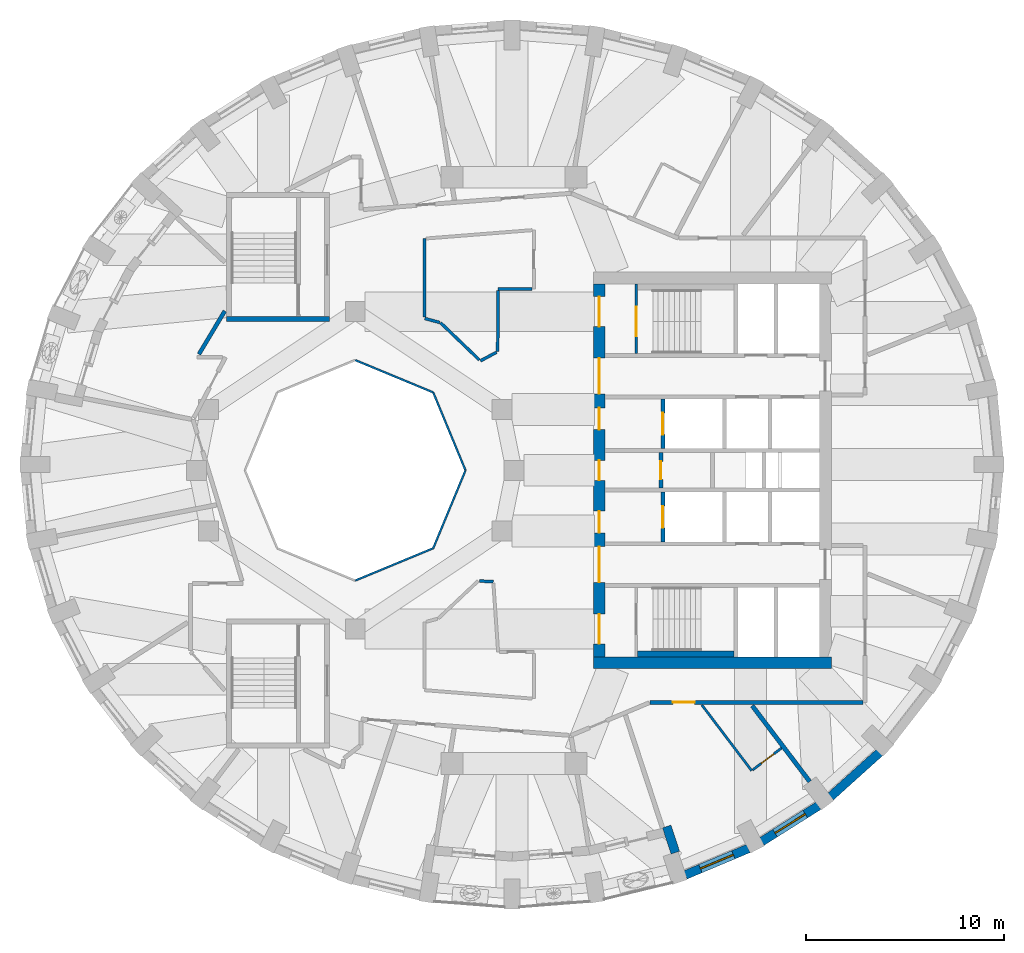
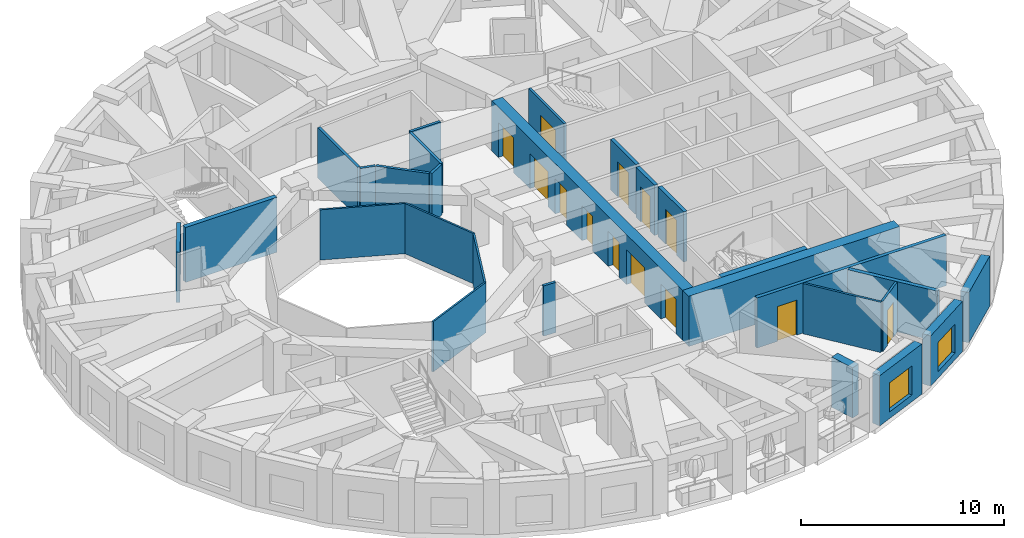
# One storey, part 5 of 12: 28 walls, 13 doors, 2 windows, 15 openings.
"""IFC4 building model written with IfcOpenShell, lengths in metres."""

import ifcopenshell
import ifcopenshell.guid

model = None  # the IFC model being written
_history = None  # IfcOwnerHistory: only IFC2X3 demands one
_inside = {}  # id of a spatial element -> (the spatial element, [elements in it])
_under = {}  # id of a project, library or spatial element -> (it, [spatial elements below it])
_declared = {}  # id of a project -> (the project, [libraries it declares])
_typed = {}  # id of a type object -> (the type object, [elements of that type])
_made_of = {}  # id of a material, layer set ... -> (it, [elements and type objects made of it])


def new_model(schema):
    """Start an empty IFC model of exactly this schema.

    Asked for "IFC4X3", IfcOpenShell would pick the latest addendum, in which some entities
    have other attributes; the version numbers below select the first issue.
    IFC2X3 requires an IfcOwnerHistory on every rooted entity: one is made here for all.
    """
    global model, _history
    if schema == "IFC4X3":
        model = ifcopenshell.file(schema_version=(4, 3, 0, 0))
    else:
        model = ifcopenshell.file(schema=schema)
    _inside.clear()
    _under.clear()
    _declared.clear()
    _typed.clear()
    _made_of.clear()
    _history = None
    if model.schema == "IFC2X3":
        org = make("IfcOrganization", Name="unknown")
        user = make(
            "IfcPersonAndOrganization",
            ThePerson=make("IfcPerson", FamilyName="unknown"),
            TheOrganization=org,
        )
        app = make(
            "IfcApplication",
            ApplicationDeveloper=org,
            Version="unknown",
            ApplicationFullName="unknown",
            ApplicationIdentifier="unknown",
        )
        _history = make(
            "IfcOwnerHistory",
            OwningUser=user,
            OwningApplication=app,
            ChangeAction="ADDED",
            CreationDate=0,
        )
    return model


def make(cls, **values):
    """One entity of the class cls with the attributes given. An attribute that is None is left unset."""
    return model.create_entity(
        cls, **{name: value for name, value in values.items() if value is not None}
    )


def rooted(cls, **values):
    """An entity with a GlobalId (a new one), such as an element, a storey or a relation."""
    return make(cls, GlobalId=ifcopenshell.guid.new(), OwnerHistory=_history, **values)


def si_unit(unit_type, name, prefix=None):
    """IfcSIUnit, for example si_unit("LENGTHUNIT", "METRE", prefix="MILLI")."""
    return make("IfcSIUnit", UnitType=unit_type, Prefix=prefix, Name=name)


def assignment(units):
    """IfcUnitAssignment: the units of a project."""
    return None if units is None else make("IfcUnitAssignment", Units=units)


def point(xyz):
    """IfcCartesianPoint."""
    return None if xyz is None else make("IfcCartesianPoint", Coordinates=xyz)


def direction(xyz):
    """IfcDirection."""
    return None if xyz is None else make("IfcDirection", DirectionRatios=xyz)


def frame(location, z_axis=None, x_axis=None):
    """IfcAxis2Placement3D, a coordinate frame: its origin and axes. An axis left out is left unset."""
    return make(
        "IfcAxis2Placement3D",
        Location=point(location),
        Axis=direction(z_axis),
        RefDirection=direction(x_axis),
    )


def frame_2d(location, x_axis=None):
    """IfcAxis2Placement2D, a coordinate frame in the plane: its origin and x axis."""
    return make(
        "IfcAxis2Placement2D", Location=point(location), RefDirection=direction(x_axis)
    )


def origin():
    """The frame at (0, 0, 0) with its axes left unset."""
    return frame((0.0, 0.0, 0.0))


def place(relative_to, where):
    """IfcLocalPlacement: puts the frame where relative to a parent placement (None: the world)."""
    return make(
        "IfcLocalPlacement", PlacementRelTo=relative_to, RelativePlacement=where
    )


def context(
    kind, dimensions, precision=None, world=None, true_north=None, identifier=None
):
    """IfcGeometricRepresentationContext, for example the 3D "Model" context."""
    return make(
        "IfcGeometricRepresentationContext",
        ContextIdentifier=identifier,
        ContextType=kind,
        CoordinateSpaceDimension=dimensions,
        Precision=precision,
        WorldCoordinateSystem=world,
        TrueNorth=true_north,
    )


def subcontext(parent, identifier, kind, view, scale=None):
    """IfcGeometricRepresentationSubContext, for example "Body" below "Model"."""
    return make(
        "IfcGeometricRepresentationSubContext",
        ContextIdentifier=identifier,
        ContextType=kind,
        ParentContext=parent,
        TargetScale=scale,
        TargetView=view,
    )


def project(units=None, contexts=None):
    """IfcProject with its units and contexts."""
    return rooted(
        "IfcProject",
        Name="project",
        RepresentationContexts=contexts,
        UnitsInContext=assignment(units),
    )


def spatial(cls, under=None, at=None, **own):
    """A site, building, storey or space (cls), placed at a placement, below another one or the project."""
    s = rooted(cls, ObjectPlacement=at, **own)
    if under is not None:
        _under.setdefault(under.id(), (under, []))[1].append(s)
    return s


def profile(cls, at=None, kind="AREA", **sizes):
    """A parametric profile (cls). Its sizes go by their IFC names, for example OverallWidth=200.0."""
    return make(cls, ProfileType=kind, Position=at, **sizes)


def rectangle(**sizes):
    """IfcRectangleProfileDef."""
    return profile("IfcRectangleProfileDef", **sizes)


def extrude(swept, where, along, depth):
    """IfcExtrudedAreaSolid: the profile swept, set in the frame where, extruded along a direction by depth."""
    return make(
        "IfcExtrudedAreaSolid",
        SweptArea=swept,
        Position=where,
        ExtrudedDirection=direction(along),
        Depth=depth,
    )


def shape(context_of_items, identifier, shape_type, items):
    """IfcShapeRepresentation: the items that make up one representation, for example the "Body"."""
    return make(
        "IfcShapeRepresentation",
        ContextOfItems=context_of_items,
        RepresentationIdentifier=identifier,
        RepresentationType=shape_type,
        Items=items,
    )


def material(Name=None, Category=None):
    """IfcMaterial."""
    return make("IfcMaterial", Name=Name, Category=Category)


def layer(
    of_material, thickness, ventilated=None, Name=None, Category=None, Priority=None
):
    """IfcMaterialLayer: one layer of a wall or slab, of a material (None: an air gap)."""
    return make(
        "IfcMaterialLayer",
        Material=of_material,
        LayerThickness=thickness,
        IsVentilated=ventilated,
        Name=Name,
        Category=Category,
        Priority=Priority,
    )


def layer_set(layers, Name=None):
    """IfcMaterialLayerSet."""
    return make("IfcMaterialLayerSet", MaterialLayers=layers, LayerSetName=Name)


def made_of(thing, what):
    """Note that an element or type object is made of a material, layer set ...; save() writes the relation."""
    if what is not None:
        _made_of.setdefault(what.id(), (what, []))[1].append(thing)
    return thing


def type_object(cls, material=None, **own):
    """A type object (cls), such as IfcWallType, which elements share."""
    return made_of(rooted(cls, **own), material)


def element(
    cls,
    number,
    at=None,
    inside=None,
    cuts=None,
    type_object=None,
    material=None,
    context=None,
    identifier="Body",
    shape_type=None,
    held_by="IfcProductDefinitionShape",
    body=None,
    shapes=None,
    **own,
):
    """One element of the class cls, such as IfcWall. Its Tag is "e" and its number.

    at: its placement. inside: the storey or other place that contains it. cuts: it is an
    opening in that element (IfcRelVoidsElement). A single representation is given by context,
    identifier, shape_type and body (its items); several are given by shapes. held_by: the class
    of the entity that holds the representations. save() writes the other relations.
    """
    e = rooted(cls, Tag="e%d" % number, ObjectPlacement=at, **own)
    if body is not None:
        shapes = [shape(context, identifier, shape_type, body)]
    if shapes is not None:
        e.Representation = make(held_by, Representations=shapes)
    if inside is not None:
        _inside.setdefault(inside.id(), (inside, []))[1].append(e)
    if cuts is not None:
        rooted(
            "IfcRelVoidsElement", RelatingBuildingElement=cuts, RelatedOpeningElement=e
        )
    if type_object is not None:
        _typed.setdefault(type_object.id(), (type_object, []))[1].append(e)
    return made_of(e, material)


def fill(opening, filler):
    """IfcRelFillsElement: the door or window that sits in an opening."""
    return rooted(
        "IfcRelFillsElement",
        RelatingOpeningElement=opening,
        RelatedBuildingElement=filler,
    )


def aggregate(whole, parts):
    """IfcRelAggregates: a whole, such as a stair, and the parts it consists of."""
    return rooted("IfcRelAggregates", RelatingObject=whole, RelatedObjects=parts)


def save(model, path):
    """Write the relations noted so far, then the file.

    IfcRelAggregates (storeys below a building ...), IfcRelContainedInSpatialStructure (elements
    in a storey), IfcRelDefinesByType, IfcRelAssociatesMaterial and IfcRelDeclares: one each for
    every whole, place, type object, material and project.
    """
    for whole, parts in _under.values():
        aggregate(whole, parts)
    for where, things in _inside.values():
        rooted(
            "IfcRelContainedInSpatialStructure",
            RelatedElements=things,
            RelatingStructure=where,
        )
    for kind, things in _typed.values():
        rooted("IfcRelDefinesByType", RelatedObjects=things, RelatingType=kind)
    for what, things in _made_of.values():
        rooted("IfcRelAssociatesMaterial", RelatedObjects=things, RelatingMaterial=what)
    for by, libraries in _declared.values():
        rooted("IfcRelDeclares", RelatingContext=by, RelatedDefinitions=libraries)
    model.write(path)


model = new_model("IFC4")

# Units and contexts
model_context = context("Model", 3, precision=1e-05, world=origin(), true_north=direction((0.0, 1.0)))
body_context = subcontext(model_context, "Body", "Model", "MODEL_VIEW")
ifc_project = project(units=[si_unit("LENGTHUNIT", "METRE"), si_unit("AREAUNIT", "SQUARE_METRE"), si_unit("VOLUMEUNIT", "CUBIC_METRE"), si_unit("PLANEANGLEUNIT", "RADIAN"), si_unit("MASSUNIT", "GRAM", prefix="KILO")], contexts=[model_context])

# Site, building, storey
site_placement = place(None, origin())
site = spatial("IfcSite", under=ifc_project, at=site_placement, CompositionType="ELEMENT")
building_placement = place(site_placement, origin())
building = spatial("IfcBuilding", under=site, at=building_placement, Name="Taillehof Tower", CompositionType="ELEMENT")
storey_placement = place(building_placement, frame((0.0, 0.0, 243.199951171875)))
storey = spatial("IfcBuildingStorey", under=building, at=storey_placement, Name="L69", CompositionType="ELEMENT", Elevation=243.199951171875)

# Walls
ifc_material_1 = material(Name="Fire-resisting glass in steel frame", Category="steel")
ifc_layer_1 = layer(ifc_material_1, 0.10009765625)
ifc_layer_set_1 = layer_set([ifc_layer_1], Name="Atrium fire-resisting screen EI 60 100")
wall_type_1 = type_object("IfcWallType", Name="Atrium fire-resisting screen EI 60 100", PredefinedType="PARTITIONING", material=ifc_layer_set_1)
for number, where, z_axis, x_axis, name in (
    (1, (-2.44580078125, 0.0, 0.0), (0.0, 0.0, 1.0), (-0.382730523909, -0.923860025149, 0.0), "Atrium screen"),
    (2, (-4.07275390625, -3.92724609375, 0.0), (0.0, 0.0, 1.0), (-0.923860025149, -0.382730523909, 0.0), "Atrium screen"),
    (3, (-8.0, 5.55419921875, 0.0), (0.0, 0.0, 1.0), (0.923860025149, -0.382730523909, 0.0), "Atrium screen"),
    (4, (-4.07275390625, 3.92724609375, 0.0), (0.0, 0.0, 1.0), (0.382730523909, -0.923860025149, 0.0), "Atrium screen"),
):
    element("IfcWall", number, at=place(storey_placement, frame(where, z_axis=z_axis, x_axis=x_axis)), inside=storey, type_object=wall_type_1, Name=name, PredefinedType="PARTITIONING", context=body_context, shape_type="SweptSolid", body=[
        extrude(rectangle(XDim=4.2509765625, YDim=0.10009765625, at=frame_2d((2.12548828125, 0.0))), origin(), (0.0, 0.0, 1.0), 3.02001953125),
    ])

# Wall, opening, window
ifc_material_2 = material(Name="Brick masonry", Category="masonry")
ifc_layer_2 = layer(ifc_material_2, 0.449951171875)
ifc_layer_set_2 = layer_set([ifc_layer_2], Name="Brick infill wall 450")
wall_type_2 = type_object("IfcWallType", Name="Brick infill wall 450", PredefinedType="SOLIDWALL", material=ifc_layer_set_2)
wall_1_placement = place(storey_placement, frame((8.640869140625, -20.394775390625, 0.0), z_axis=(0.0, 0.0, 1.0), x_axis=(0.922049934692, 0.3870709469, 0.0)))
wall_1 = element("IfcWall", 5, at=wall_1_placement, inside=storey, type_object=wall_type_2, Name="Brick wall L69 bay 30", PredefinedType="SOLIDWALL", context=body_context, shape_type="SweptSolid", body=[
    extrude(rectangle(XDim=3.443115234375, YDim=0.449951171875, at=frame_2d((1.7216796875, 0.0))), origin(), (0.0, 0.0, 1.0), 3.02001953125),
])
opening_1_placement = place(wall_1_placement, frame((0.82177734375, 0.0, 0.39990234375)))
opening_1 = element("IfcOpeningElement", 6, at=opening_1_placement, cuts=wall_1, Name="Opening W4", PredefinedType="OPENING", context=body_context, shape_type="SweptSolid", body=[
    extrude(rectangle(XDim=1.800048828125, YDim=1.75, at=frame_2d((0.89990234375, 0.875))), frame((0.0, 0.23486328125, 0.0), z_axis=(0.0, -1.0, 0.0), x_axis=(1.0, 0.0, 0.0)), (0.0, 0.0, 1.0), 0.469970703125),
])
ifc_material_3 = material(Name="Aluminium window frame with clear double glazing", Category="aluminium")
window_type = type_object("IfcWindowType", Name="Deep-set window 1800x1750", PartitioningType="SINGLE_PANEL", PredefinedType="WINDOW", material=ifc_material_3)
window_1_placement = place(opening_1_placement, origin())
window_1 = element("IfcWindow", 7, at=window_1_placement, inside=storey, type_object=window_type, Name="W4", OverallHeight=1.75, OverallWidth=1.800048828125, PartitioningType="SINGLE_PANEL", PredefinedType="WINDOW", context=body_context, shape_type="SweptSolid", body=[
    extrude(rectangle(XDim=1.800048828125, YDim=1.75, at=frame_2d((0.89990234375, 0.875))), frame((0.0, 0.034912109375, 0.0), z_axis=(0.0, -1.0, 0.0), x_axis=(1.0, 0.0, 0.0)), (0.0, 0.0, 1.0), 0.06005859375),
])
fill(opening_1, window_1)

wall_2_placement = place(storey_placement, frame((12.489990234375, -18.7109375, 0.0), z_axis=(0.0, 0.0, 1.0), x_axis=(0.845929139811, 0.53329531258, 0.0)))
wall_2 = element("IfcWall", 8, at=wall_2_placement, inside=storey, type_object=wall_type_2, Name="Brick wall L69 bay 31", PredefinedType="SOLIDWALL", context=body_context, shape_type="SweptSolid", body=[
    extrude(rectangle(XDim=3.384521484375, YDim=0.449951171875, at=frame_2d((1.6923828125, 0.0))), origin(), (0.0, 0.0, 1.0), 3.02001953125),
])
opening_2_placement = place(wall_2_placement, frame((0.792236328125, 0.0, 0.39990234375)))
opening_2 = element("IfcOpeningElement", 9, at=opening_2_placement, cuts=wall_2, Name="Opening W4", PredefinedType="OPENING", context=body_context, shape_type="SweptSolid", body=[
    extrude(rectangle(XDim=1.800048828125, YDim=1.75, at=frame_2d((0.89990234375, 0.875))), frame((0.0, 0.23486328125, 0.0), z_axis=(0.0, -1.0, 0.0), x_axis=(1.0, 0.0, 0.0)), (0.0, 0.0, 1.0), 0.469970703125),
])
window_2_placement = place(opening_2_placement, origin())
window_2 = element("IfcWindow", 10, at=window_2_placement, inside=storey, type_object=window_type, Name="W4", OverallHeight=1.75, OverallWidth=1.800048828125, PartitioningType="SINGLE_PANEL", PredefinedType="WINDOW", context=body_context, shape_type="SweptSolid", body=[
    extrude(rectangle(XDim=1.800048828125, YDim=1.75, at=frame_2d((0.89990234375, 0.875))), frame((0.0, 0.034912109375, 0.0), z_axis=(0.0, -1.0, 0.0), x_axis=(1.0, 0.0, 0.0)), (0.0, 0.0, 1.0), 0.06005859375),
])
fill(opening_2, window_2)

# Walls
wall_3_placement = place(storey_placement, frame((15.959228515625, -16.447509765625, 0.0), z_axis=(0.0, 0.0, 1.0), x_axis=(0.743166014219, 0.669107073128, 0.0)))
element("IfcWall", 11, at=wall_3_placement, inside=storey, type_object=wall_type_2, Name="Brick wall L69 bay 32", PredefinedType="SOLIDWALL", context=body_context, shape_type="SweptSolid", body=[
    extrude(rectangle(XDim=3.31640625, YDim=0.449951171875, at=frame_2d((1.658203125, 0.0))), origin(), (0.0, 0.0, 1.0), 3.02001953125),
])
wall_4_placement = place(storey_placement, frame((8.1337890625, -19.273193359375, 0.0), z_axis=(0.0, 0.0, 1.0), x_axis=(-0.312379684595, 0.949957332017, 0.0)))
element("IfcWall", 12, at=wall_4_placement, inside=storey, type_object=wall_type_2, Name="Brick reveal L69 pocket 8", PredefinedType="SOLIDWALL", context=body_context, shape_type="SweptSolid", body=[
    extrude(rectangle(XDim=1.390380859375, YDim=0.449951171875, at=frame_2d((0.6953125, 0.0))), origin(), (0.0, 0.0, 1.0), 3.02001953125),
])

# Wall, opening, door
ifc_material_4 = material(Name="Calcium silicate masonry", Category="masonry")
ifc_layer_3 = layer(ifc_material_4, 0.199951171875)
ifc_layer_set_3 = layer_set([ifc_layer_3], Name="Compartment wall calcium silicate 200")
wall_type_3 = type_object("IfcWallType", Name="Compartment wall calcium silicate 200", PredefinedType="PARTITIONING", material=ifc_layer_set_3)
wall_5_placement = place(storey_placement, frame((7.39990234375, -0.89990234375, 0.0), z_axis=(0.0, 0.0, 1.0), x_axis=(0.0, 1.0, 0.0)))
wall_5 = element("IfcWall", 13, at=wall_5_placement, inside=storey, type_object=wall_type_3, Name="Compartment wall FW", PredefinedType="PARTITIONING", context=body_context, shape_type="SweptSolid", body=[
    extrude(rectangle(XDim=1.7998046875, YDim=0.199951171875, at=frame_2d((0.89990234375, 0.0))), origin(), (0.0, 0.0, 1.0), 3.02001953125),
])
opening_3_placement = place(wall_5_placement, frame((0.449951171875, 0.0, 0.0)))
opening_3 = element("IfcOpeningElement", 14, at=opening_3_placement, cuts=wall_5, Name="Opening D6914", PredefinedType="OPENING", context=body_context, shape_type="SweptSolid", body=[
    extrude(rectangle(XDim=0.89990234375, YDim=2.10009765625, at=frame_2d((0.449951171875, 1.050048828125))), frame((0.0, 0.10986328125, 0.0), z_axis=(0.0, -1.0, 0.0), x_axis=(1.0, 0.0, 0.0)), (0.0, 0.0, 1.0), 0.219970703125),
])
ifc_material_5 = material(Name="Steel-faced fire door", Category="steel")
door_type_1 = type_object("IfcDoorType", Name="Riser and service room door 900x2100", OperationType="SINGLE_SWING_LEFT", PredefinedType="DOOR", material=ifc_material_5)
door_1_placement = place(opening_3_placement, origin())
door_1 = element("IfcDoor", 15, at=door_1_placement, inside=storey, type_object=door_type_1, Name="Door Comms Room", OperationType="SINGLE_SWING_RIGHT", OverallHeight=2.10009765625, OverallWidth=0.89990234375, PredefinedType="DOOR", context=body_context, shape_type="SweptSolid", body=[
    extrude(rectangle(XDim=0.89990234375, YDim=2.10009765625, at=frame_2d((0.449951171875, 1.050048828125))), frame((0.0, 0.02490234375, 0.0), z_axis=(0.0, -1.0, 0.0), x_axis=(1.0, 0.0, 0.0)), (0.0, 0.0, 1.0), 0.050048828125),
])
fill(opening_3, door_1)

ifc_material_6 = material(Name="Gypsum board on steel studs, two layers each side", Category="steel")
ifc_layer_4 = layer(ifc_material_6, 0.199951171875)
ifc_layer_set_4 = layer_set([ifc_layer_4], Name="Compartment wall corridor 200")
wall_type_4 = type_object("IfcWallType", Name="Compartment wall corridor 200", PredefinedType="PARTITIONING", material=ifc_layer_set_4)
wall_6_placement = place(storey_placement, frame((17.599853515625, -11.699951171875, 0.0), z_axis=(0.0, 0.0, 1.0), x_axis=(-1.0, 0.0, 0.0)))
wall_6 = element("IfcWall", 16, at=wall_6_placement, inside=storey, type_object=wall_type_4, Name="Compartment wall", PredefinedType="PARTITIONING", context=body_context, shape_type="SweptSolid", body=[
    extrude(rectangle(XDim=10.7509765625, YDim=0.199951171875, at=frame_2d((5.37548828125, 0.0))), origin(), (0.0, 0.0, 1.0), 3.02001953125),
])
opening_4_placement = place(wall_6_placement, frame((8.493408203125, 0.0, 0.0)))
opening_4 = element("IfcOpeningElement", 17, at=opening_4_placement, cuts=wall_6, Name="Opening D6954", PredefinedType="OPENING", context=body_context, shape_type="SweptSolid", body=[
    extrude(rectangle(XDim=1.10009765625, YDim=2.10009765625, at=frame_2d((0.550048828125, 1.050048828125))), frame((0.0, 0.10986328125, 0.0), z_axis=(0.0, -1.0, 0.0), x_axis=(1.0, 0.0, 0.0)), (0.0, 0.0, 1.0), 0.219970703125),
])
ifc_material_7 = material(Name="Timber door leaf in steel frame", Category="steel")
door_type_2 = type_object("IfcDoorType", Name="Suite entrance door EI 30 1100 x 2100", OperationType="SINGLE_SWING_LEFT", PredefinedType="DOOR", material=ifc_material_7)
door_2_placement = place(opening_4_placement, origin())
door_2 = element("IfcDoor", 18, at=door_2_placement, inside=storey, type_object=door_type_2, Name="D6954", OperationType="SINGLE_SWING_LEFT", OverallHeight=2.10009765625, OverallWidth=1.10009765625, PredefinedType="DOOR", context=body_context, shape_type="SweptSolid", body=[
    extrude(rectangle(XDim=1.10009765625, YDim=2.10009765625, at=frame_2d((0.550048828125, 1.050048828125))), frame((0.0, 0.02490234375, 0.0), z_axis=(0.0, -1.0, 0.0), x_axis=(1.0, 0.0, 0.0)), (0.0, 0.0, 1.0), 0.050048828125),
])
fill(opening_4, door_2)

# Walls
wall_7_placement = place(storey_placement, frame((-15.8818359375, 5.853759765625, 0.0), z_axis=(0.0, 0.0, 1.0), x_axis=(0.514042598012, 0.857764657368, 0.0)))
element("IfcWall", 19, at=wall_7_placement, inside=storey, type_object=wall_type_4, Name="Compartment wall", PredefinedType="PARTITIONING", context=body_context, shape_type="SweptSolid", body=[
    extrude(rectangle(XDim=2.53564453125, YDim=0.199951171875, at=frame_2d((1.267822265625, 0.0))), origin(), (0.0, 0.0, 1.0), 3.02001953125),
])
ifc_material_8 = material(Name="Gypsum board on double steel studs with mineral wool", Category="steel")
ifc_layer_5 = layer(ifc_material_8, 0.219970703125)
ifc_layer_set_5 = layer_set([ifc_layer_5], Name="Compartment wall guest room 220")
wall_type_5 = type_object("IfcWallType", Name="Compartment wall guest room 220", PredefinedType="PARTITIONING", material=ifc_layer_set_5)
wall_8_placement = place(storey_placement, frame((14.906005859375, -15.687255859375, 0.0), z_axis=(0.0, 0.0, 1.0), x_axis=(-0.604046750172, 0.796948883936, 0.0)))
element("IfcWall", 20, at=wall_8_placement, inside=storey, type_object=wall_type_5, Name="Compartment wall", PredefinedType="PARTITIONING", context=body_context, shape_type="SweptSolid", body=[
    extrude(rectangle(XDim=4.7978515625, YDim=0.219970703125, at=frame_2d((2.39892578125, 0.0))), origin(), (0.0, 0.0, 1.0), 3.02001953125),
])
ifc_material_9 = material(Name="Calcium silicate masonry", Category="masonry")
ifc_layer_6 = layer(ifc_material_9, 0.300048828125)
ifc_layer_set_6 = layer_set([ifc_layer_6], Name="Compartment wall lining calcium silicate 300")
wall_type_6 = type_object("IfcWallType", Name="Compartment wall lining calcium silicate 300", PredefinedType="PARTITIONING", material=ifc_layer_set_6)
wall_9_placement = place(storey_placement, frame((6.219970703125, -9.25, 0.0), z_axis=(0.0, 0.0, 1.0), x_axis=(1.0, 0.0, 0.0)))
element("IfcWall", 21, at=wall_9_placement, inside=storey, type_object=wall_type_6, Name="Compartment wall FW", PredefinedType="PARTITIONING", context=body_context, shape_type="SweptSolid", body=[
    extrude(rectangle(XDim=4.880126953125, YDim=0.300048828125, at=frame_2d((2.43994140625, 0.0))), origin(), (0.0, 0.0, 1.0), 3.02001953125),
])
ifc_material_10 = material(Name="Gypsum board on steel studs, two layers each side", Category="steel")
ifc_layer_7 = layer(ifc_material_10, 0.14990234375)
ifc_layer_set_7 = layer_set([ifc_layer_7], Name="Compartment wall service room 150")
wall_type_7 = type_object("IfcWallType", Name="Compartment wall service room 150", PredefinedType="PARTITIONING", material=ifc_layer_set_7)
wall_10_placement = place(storey_placement, frame((0.919921875, 9.14990234375, 0.0), z_axis=(0.0, 0.0, 1.0), x_axis=(-1.0, 0.0, 0.0)))
element("IfcWall", 22, at=wall_10_placement, inside=storey, type_object=wall_type_7, Name="Compartment wall", PredefinedType="PARTITIONING", context=body_context, shape_type="SweptSolid", body=[
    extrude(rectangle(XDim=1.719970703125, YDim=0.14990234375, at=frame_2d((0.85986328125, 0.0))), origin(), (0.0, 0.0, 1.0), 3.02001953125),
])
wall_11_placement = place(storey_placement, frame((-0.801025390625, 9.06982421875, 0.0), z_axis=(0.0, 0.0, 1.0), x_axis=(-0.006879482938, -0.999976336077, 0.0)))
element("IfcWall", 23, at=wall_11_placement, inside=storey, type_object=wall_type_7, Name="Compartment wall", PredefinedType="PARTITIONING", context=body_context, shape_type="SweptSolid", body=[
    extrude(rectangle(XDim=3.08740234375, YDim=0.14990234375, at=frame_2d((1.543701171875, 0.0))), origin(), (0.0, 0.0, 1.0), 3.02001953125),
])
wall_12_placement = place(storey_placement, frame((-0.875, 5.953857421875, 0.0), z_axis=(0.0, 0.0, 1.0), x_axis=(-0.882018256262, -0.471215232798, 0.0)))
element("IfcWall", 24, at=wall_12_placement, inside=storey, type_object=wall_type_7, Name="Compartment wall", PredefinedType="PARTITIONING", context=body_context, shape_type="SweptSolid", body=[
    extrude(rectangle(XDim=0.929443359375, YDim=0.14990234375, at=frame_2d((0.46484375, 0.0))), origin(), (0.0, 0.0, 1.0), 3.02001953125),
])
wall_13_placement = place(storey_placement, frame((-1.75244140625, 5.571533203125, 0.0), z_axis=(0.0, 0.0, 1.0), x_axis=(-0.721943077846, 0.691952449487, 0.0)))
element("IfcWall", 25, at=wall_13_placement, inside=storey, type_object=wall_type_7, Name="Compartment wall", PredefinedType="PARTITIONING", context=body_context, shape_type="SweptSolid", body=[
    extrude(rectangle(XDim=2.70263671875, YDim=0.14990234375, at=frame_2d((1.351318359375, 0.0))), origin(), (0.0, 0.0, 1.0), 3.02001953125),
])
wall_14_placement = place(storey_placement, frame((-3.7421875, 7.451904296875, 0.0), z_axis=(0.0, 0.0, 1.0), x_axis=(-0.965903596155, 0.258901994846, 0.0)))
element("IfcWall", 26, at=wall_14_placement, inside=storey, type_object=wall_type_7, Name="Compartment wall", PredefinedType="PARTITIONING", context=body_context, shape_type="SweptSolid", body=[
    extrude(rectangle(XDim=0.78466796875, YDim=0.14990234375, at=frame_2d((0.392333984375, 0.0))), origin(), (0.0, 0.0, 1.0), 3.02001953125),
])
wall_15_placement = place(storey_placement, frame((-4.5, 7.735107421875, 0.0), z_axis=(0.0, 0.0, 1.0), x_axis=(0.0, 1.0, 0.0)))
element("IfcWall", 27, at=wall_15_placement, inside=storey, type_object=wall_type_7, Name="Compartment wall", PredefinedType="PARTITIONING", context=body_context, shape_type="SweptSolid", body=[
    extrude(rectangle(XDim=3.946044921875, YDim=0.14990234375, at=frame_2d((1.97314453125, 0.0))), origin(), (0.0, 0.0, 1.0), 3.02001953125),
])
wall_16_placement = place(storey_placement, frame((-1.74560546875, -5.578125, 0.0), z_axis=(0.0, 0.0, 1.0), x_axis=(0.998798699726, -0.049001606354, 0.0)))
element("IfcWall", 28, at=wall_16_placement, inside=storey, type_object=wall_type_7, Name="Compartment wall", PredefinedType="PARTITIONING", context=body_context, shape_type="SweptSolid", body=[
    extrude(rectangle(XDim=0.702392578125, YDim=0.14990234375, at=frame_2d((0.35107421875, 0.0))), origin(), (0.0, 0.0, 1.0), 3.02001953125),
])

# Wall, openings, doors
ifc_material_11 = material(Name="Concrete C80/95", Category="concrete")
ifc_layer_8 = layer(ifc_material_11, 0.60009765625)
ifc_layer_set_8 = layer_set([ifc_layer_8], Name="Core wall C80/95 600")
wall_type_8 = type_object("IfcWallType", Name="Core wall C80/95 600", PredefinedType="SHEAR", material=ifc_layer_set_8)
wall_17_placement = place(storey_placement, frame((4.300048828125, -9.39990234375, 0.0), z_axis=(0.0, 0.0, 1.0), x_axis=(0.0, 1.0, 0.0)))
wall_17 = element("IfcWall", 29, at=wall_17_placement, inside=storey, type_object=wall_type_8, Name="Core wall CW01", PredefinedType="SHEAR", context=body_context, shape_type="SweptSolid", body=[
    extrude(rectangle(XDim=18.7998046875, YDim=0.60009765625, at=frame_2d((9.39990234375, 0.0))), origin(), (0.0, 0.0, 1.0), 3.02001953125),
])
opening_5_placement = place(wall_17_placement, frame((0.64990234375, 0.0, 0.0)))
opening_5 = element("IfcOpeningElement", 30, at=opening_5_placement, cuts=wall_17, Name="Opening D6901", PredefinedType="OPENING", context=body_context, shape_type="SweptSolid", body=[
    extrude(rectangle(XDim=1.5, YDim=2.10009765625, at=frame_2d((0.75, 1.050048828125))), frame((0.0, 0.31005859375, 0.0), z_axis=(0.0, -1.0, 0.0), x_axis=(1.0, 0.0, 0.0)), (0.0, 0.0, 1.0), 0.6201171875),
])
opening_6_placement = place(wall_17_placement, frame((3.75, 0.0, 0.0)))
opening_6 = element("IfcOpeningElement", 31, at=opening_6_placement, cuts=wall_17, Name="Opening D6902", PredefinedType="OPENING", context=body_context, shape_type="SweptSolid", body=[
    extrude(rectangle(XDim=1.800048828125, YDim=2.10009765625, at=frame_2d((0.89990234375, 1.050048828125))), frame((0.0, 0.31005859375, 0.0), z_axis=(0.0, -1.0, 0.0), x_axis=(1.0, 0.0, 0.0)), (0.0, 0.0, 1.0), 0.6201171875),
])
opening_7_placement = place(wall_17_placement, frame((6.25, 0.0, 0.0)))
opening_7 = element("IfcOpeningElement", 32, at=opening_7_placement, cuts=wall_17, Name="Opening D6903", PredefinedType="OPENING", context=body_context, shape_type="SweptSolid", body=[
    extrude(rectangle(XDim=1.10009765625, YDim=2.10009765625, at=frame_2d((0.550048828125, 1.050048828125))), frame((0.0, 0.31005859375, 0.0), z_axis=(0.0, -1.0, 0.0), x_axis=(1.0, 0.0, 0.0)), (0.0, 0.0, 1.0), 0.6201171875),
])
opening_8_placement = place(wall_17_placement, frame((8.89990234375, 0.0, 0.0)))
opening_8 = element("IfcOpeningElement", 33, at=opening_8_placement, cuts=wall_17, Name="Opening D6904", PredefinedType="OPENING", context=body_context, shape_type="SweptSolid", body=[
    extrude(rectangle(XDim=1.0, YDim=2.10009765625, at=frame_2d((0.5, 1.050048828125))), frame((0.0, 0.31005859375, 0.0), z_axis=(0.0, -1.0, 0.0), x_axis=(1.0, 0.0, 0.0)), (0.0, 0.0, 1.0), 0.6201171875),
])
opening_9_placement = place(wall_17_placement, frame((11.449951171875, 0.0, 0.0)))
opening_9 = element("IfcOpeningElement", 34, at=opening_9_placement, cuts=wall_17, Name="Opening D6905", PredefinedType="OPENING", context=body_context, shape_type="SweptSolid", body=[
    extrude(rectangle(XDim=1.10009765625, YDim=2.10009765625, at=frame_2d((0.550048828125, 1.050048828125))), frame((0.0, 0.31005859375, 0.0), z_axis=(0.0, -1.0, 0.0), x_axis=(1.0, 0.0, 0.0)), (0.0, 0.0, 1.0), 0.6201171875),
])
opening_10_placement = place(wall_17_placement, frame((13.25, 0.0, 0.0)))
opening_10 = element("IfcOpeningElement", 35, at=opening_10_placement, cuts=wall_17, Name="Opening D6906", PredefinedType="OPENING", context=body_context, shape_type="SweptSolid", body=[
    extrude(rectangle(XDim=1.800048828125, YDim=2.10009765625, at=frame_2d((0.89990234375, 1.050048828125))), frame((0.0, 0.31005859375, 0.0), z_axis=(0.0, -1.0, 0.0), x_axis=(1.0, 0.0, 0.0)), (0.0, 0.0, 1.0), 0.6201171875),
])
opening_11_placement = place(wall_17_placement, frame((16.64990234375, 0.0, 0.0)))
opening_11 = element("IfcOpeningElement", 36, at=opening_11_placement, cuts=wall_17, Name="Opening D6907", PredefinedType="OPENING", context=body_context, shape_type="SweptSolid", body=[
    extrude(rectangle(XDim=1.5, YDim=2.10009765625, at=frame_2d((0.75, 1.050048828125))), frame((0.0, 0.31005859375, 0.0), z_axis=(0.0, -1.0, 0.0), x_axis=(1.0, 0.0, 0.0)), (0.0, 0.0, 1.0), 0.6201171875),
])
ifc_material_12 = material(Name="Steel-faced fire door", Category="steel")
door_type_3 = type_object("IfcDoorType", Name="Firefighting lobby door 1100x2100", OperationType="SINGLE_SWING_RIGHT", PredefinedType="DOOR", material=ifc_material_12)
door_3_placement = place(opening_7_placement, origin())
door_3 = element("IfcDoor", 37, at=door_3_placement, inside=storey, type_object=door_type_3, Name="Firefighting lobby door FFL-S", OperationType="SINGLE_SWING_RIGHT", OverallHeight=2.10009765625, OverallWidth=1.10009765625, PredefinedType="DOOR", context=body_context, shape_type="SweptSolid", body=[
    extrude(rectangle(XDim=1.10009765625, YDim=2.10009765625, at=frame_2d((0.550048828125, 1.050048828125))), frame((0.0, 0.02490234375, 0.0), z_axis=(0.0, -1.0, 0.0), x_axis=(1.0, 0.0, 0.0)), (0.0, 0.0, 1.0), 0.050048828125),
])
fill(opening_7, door_3)
door_4_placement = place(opening_9_placement, origin())
door_4 = element("IfcDoor", 38, at=door_4_placement, inside=storey, type_object=door_type_3, Name="Firefighting lobby door FFL-N", OperationType="SINGLE_SWING_LEFT", OverallHeight=2.10009765625, OverallWidth=1.10009765625, PredefinedType="DOOR", context=body_context, shape_type="SweptSolid", body=[
    extrude(rectangle(XDim=1.10009765625, YDim=2.10009765625, at=frame_2d((0.550048828125, 1.050048828125))), frame((0.0, 0.02490234375, 0.0), z_axis=(0.0, -1.0, 0.0), x_axis=(1.0, 0.0, 0.0)), (0.0, 0.0, 1.0), 0.050048828125),
])
fill(opening_9, door_4)
ifc_material_13 = material(Name="Steel-faced fire door", Category="steel")
door_type_4 = type_object("IfcDoorType", Name="Lift lobby door 1800x2100", OperationType="DOUBLE_DOOR_SINGLE_SWING", PredefinedType="DOOR", material=ifc_material_13)
door_5_placement = place(opening_6_placement, origin())
door_5 = element("IfcDoor", 39, at=door_5_placement, inside=storey, type_object=door_type_4, Name="Lift lobby door LL-S", OperationType="DOUBLE_DOOR_SINGLE_SWING", OverallHeight=2.10009765625, OverallWidth=1.800048828125, PredefinedType="DOOR", context=body_context, shape_type="SweptSolid", body=[
    extrude(rectangle(XDim=1.800048828125, YDim=2.10009765625, at=frame_2d((0.89990234375, 1.050048828125))), frame((0.0, 0.02490234375, 0.0), z_axis=(0.0, -1.0, 0.0), x_axis=(1.0, 0.0, 0.0)), (0.0, 0.0, 1.0), 0.050048828125),
])
fill(opening_6, door_5)
door_6_placement = place(opening_10_placement, origin())
door_6 = element("IfcDoor", 40, at=door_6_placement, inside=storey, type_object=door_type_4, Name="Lift lobby door LL-N", OperationType="DOUBLE_DOOR_SINGLE_SWING", OverallHeight=2.10009765625, OverallWidth=1.800048828125, PredefinedType="DOOR", context=body_context, shape_type="SweptSolid", body=[
    extrude(rectangle(XDim=1.800048828125, YDim=2.10009765625, at=frame_2d((0.89990234375, 1.050048828125))), frame((0.0, 0.02490234375, 0.0), z_axis=(0.0, -1.0, 0.0), x_axis=(1.0, 0.0, 0.0)), (0.0, 0.0, 1.0), 0.050048828125),
])
fill(opening_10, door_6)
ifc_material_14 = material(Name="Steel-faced fire door", Category="steel")
door_type_5 = type_object("IfcDoorType", Name="Service door 1000x2100", OperationType="SINGLE_SWING_RIGHT", PredefinedType="DOOR", material=ifc_material_14)
door_7_placement = place(opening_8_placement, origin())
door_7 = element("IfcDoor", 41, at=door_7_placement, inside=storey, type_object=door_type_5, Name="Service door SV", OperationType="SINGLE_SWING_RIGHT", OverallHeight=2.10009765625, OverallWidth=1.0, PredefinedType="DOOR", context=body_context, shape_type="SweptSolid", body=[
    extrude(rectangle(XDim=1.0, YDim=2.10009765625, at=frame_2d((0.5, 1.050048828125))), frame((0.0, 0.02490234375, 0.0), z_axis=(0.0, -1.0, 0.0), x_axis=(1.0, 0.0, 0.0)), (0.0, 0.0, 1.0), 0.050048828125),
])
fill(opening_8, door_7)
ifc_material_15 = material(Name="Steel-faced fire door", Category="steel")
door_type_6 = type_object("IfcDoorType", Name="Stair door 1500x2100", OperationType="DOUBLE_DOOR_SINGLE_SWING", PredefinedType="DOOR", material=ifc_material_15)
door_8_placement = place(opening_5_placement, origin())
door_8 = element("IfcDoor", 42, at=door_8_placement, inside=storey, type_object=door_type_6, Name="Stair door S2", OperationType="DOUBLE_DOOR_SINGLE_SWING", OverallHeight=2.10009765625, OverallWidth=1.5, PredefinedType="DOOR", context=body_context, shape_type="SweptSolid", body=[
    extrude(rectangle(XDim=1.5, YDim=2.10009765625, at=frame_2d((0.75, 1.050048828125))), frame((0.0, 0.02490234375, 0.0), z_axis=(0.0, -1.0, 0.0), x_axis=(1.0, 0.0, 0.0)), (0.0, 0.0, 1.0), 0.050048828125),
])
fill(opening_5, door_8)
door_9_placement = place(opening_11_placement, origin())
door_9 = element("IfcDoor", 43, at=door_9_placement, inside=storey, type_object=door_type_6, Name="Stair door S1", OperationType="DOUBLE_DOOR_SINGLE_SWING", OverallHeight=2.10009765625, OverallWidth=1.5, PredefinedType="DOOR", context=body_context, shape_type="SweptSolid", body=[
    extrude(rectangle(XDim=1.5, YDim=2.10009765625, at=frame_2d((0.75, 1.050048828125))), frame((0.0, 0.02490234375, 0.0), z_axis=(0.0, -1.0, 0.0), x_axis=(1.0, 0.0, 0.0)), (0.0, 0.0, 1.0), 0.050048828125),
])
fill(opening_11, door_9)

# Walls
wall_18_placement = place(storey_placement, frame((4.0, -9.699951171875, 0.0), z_axis=(0.0, 0.0, 1.0), x_axis=(1.0, 0.0, 0.0)))
element("IfcWall", 44, at=wall_18_placement, inside=storey, type_object=wall_type_8, Name="Core wall CW07", PredefinedType="SHEAR", context=body_context, shape_type="SweptSolid", body=[
    extrude(rectangle(XDim=12.0, YDim=0.60009765625, at=frame_2d((6.0, 0.0))), origin(), (0.0, 0.0, 1.0), 3.02001953125),
])
ifc_material_16 = material(Name="Gypsum board on steel studs, moisture resistant", Category="steel")
ifc_layer_9 = layer(ifc_material_16, 0.1201171875)
ifc_layer_set_9 = layer_set([ifc_layer_9], Name="En-suite wall 120")
wall_type_9 = type_object("IfcWallType", Name="En-suite wall 120", PredefinedType="PARTITIONING", material=ifc_layer_set_9)
wall_19_placement = place(storey_placement, frame((9.474365234375, -11.831787109375, 0.0), z_axis=(0.0, 0.0, 1.0), x_axis=(0.604029811985, -0.796961721938, 0.0)))
element("IfcWall", 45, at=wall_19_placement, inside=storey, type_object=wall_type_9, Name="En-suite wall", PredefinedType="PARTITIONING", context=body_context, shape_type="SweptSolid", body=[
    extrude(rectangle(XDim=4.150634765625, YDim=0.1201171875, at=frame_2d((2.0751953125, 0.0))), origin(), (0.0, 0.0, 1.0), 3.02001953125),
])

# Wall, opening, door
wall_20_placement = place(storey_placement, frame((12.029296875, -15.103515625, 0.0), z_axis=(0.0, 0.0, 1.0), x_axis=(0.796883918959, 0.60413245212, 0.0)))
wall_20 = element("IfcWall", 46, at=wall_20_placement, inside=storey, type_object=wall_type_9, Name="En-suite wall", PredefinedType="PARTITIONING", context=body_context, shape_type="SweptSolid", body=[
    extrude(rectangle(XDim=1.830322265625, YDim=0.1201171875, at=frame_2d((0.9150390625, 0.0))), origin(), (0.0, 0.0, 1.0), 3.02001953125),
])
opening_12_placement = place(wall_20_placement, frame((0.5400390625, 0.0, 0.0)))
opening_12 = element("IfcOpeningElement", 47, at=opening_12_placement, cuts=wall_20, Name="Opening D6955", PredefinedType="OPENING", context=body_context, shape_type="SweptSolid", body=[
    extrude(rectangle(XDim=0.800048828125, YDim=2.10009765625, at=frame_2d((0.39990234375, 1.050048828125))), frame((0.0, 0.070068359375, 0.0), z_axis=(0.0, -1.0, 0.0), x_axis=(1.0, 0.0, 0.0)), (0.0, 0.0, 1.0), 0.14013671875),
])
ifc_material_17 = material(Name="Timber door leaf in steel frame", Category="steel")
door_type_7 = type_object("IfcDoorType", Name="En-suite door 800 x 2100", OperationType="SINGLE_SWING_LEFT", PredefinedType="DOOR", material=ifc_material_17)
door_10_placement = place(opening_12_placement, origin())
door_10 = element("IfcDoor", 48, at=door_10_placement, inside=storey, type_object=door_type_7, Name="D6955", OperationType="SINGLE_SWING_LEFT", OverallHeight=2.10009765625, OverallWidth=0.800048828125, PredefinedType="DOOR", context=body_context, shape_type="SweptSolid", body=[
    extrude(rectangle(XDim=0.800048828125, YDim=2.10009765625, at=frame_2d((0.39990234375, 1.050048828125))), frame((0.0, 0.02490234375, 0.0), z_axis=(0.0, -1.0, 0.0), x_axis=(1.0, 0.0, 0.0)), (0.0, 0.0, 1.0), 0.050048828125),
])
fill(opening_12, door_10)

ifc_material_18 = material(Name="Concrete C50/60", Category="concrete")
ifc_layer_10 = layer(ifc_material_18, 0.199951171875)
ifc_layer_set_10 = layer_set([ifc_layer_10], Name="Shaft wall C50/60 200")
wall_type_10 = type_object("IfcWallType", Name="Shaft wall C50/60 200", PredefinedType="SHEAR", material=ifc_layer_set_10)
wall_21_placement = place(storey_placement, frame((7.5, 1.10009765625, 0.0), z_axis=(0.0, 0.0, 1.0), x_axis=(0.0, 1.0, 0.0)))
wall_21 = element("IfcWall", 49, at=wall_21_placement, inside=storey, type_object=wall_type_10, Name="Shaft wall SW", PredefinedType="SHEAR", context=body_context, shape_type="SweptSolid", body=[
    extrude(rectangle(XDim=2.5, YDim=0.199951171875, at=frame_2d((1.25, 0.0))), origin(), (0.0, 0.0, 1.0), 3.02001953125),
])
opening_13_placement = place(wall_21_placement, frame((0.699951171875, 0.0, 0.0)))
opening_13 = element("IfcOpeningElement", 50, at=opening_13_placement, cuts=wall_21, Name="Opening LD1", PredefinedType="OPENING", context=body_context, shape_type="SweptSolid", body=[
    extrude(rectangle(XDim=1.10009765625, YDim=2.10009765625, at=frame_2d((0.550048828125, 1.050048828125))), frame((0.0, 0.10986328125, 0.0), z_axis=(0.0, -1.0, 0.0), x_axis=(1.0, 0.0, 0.0)), (0.0, 0.0, 1.0), 0.219970703125),
])
ifc_material_19 = material(Name="Stainless steel", Category="steel")
door_type_8 = type_object("IfcDoorType", Name="Lift landing door LD1 1100x2100", OperationType="DOUBLE_DOOR_SLIDING", PredefinedType="DOOR", material=ifc_material_19)
door_11_placement = place(opening_13_placement, origin())
door_11 = element("IfcDoor", 51, at=door_11_placement, inside=storey, type_object=door_type_8, Name="Landing door FF1", OperationType="DOUBLE_DOOR_SLIDING", OverallHeight=2.10009765625, OverallWidth=1.10009765625, PredefinedType="DOOR", context=body_context, shape_type="SweptSolid", body=[
    extrude(rectangle(XDim=1.10009765625, YDim=2.10009765625, at=frame_2d((0.550048828125, 1.050048828125))), frame((0.0, 0.02490234375, 0.0), z_axis=(0.0, -1.0, 0.0), x_axis=(1.0, 0.0, 0.0)), (0.0, 0.0, 1.0), 0.050048828125),
])
fill(opening_13, door_11)

wall_22_placement = place(storey_placement, frame((7.5, -3.60009765625, 0.0), z_axis=(0.0, 0.0, 1.0), x_axis=(0.0, 1.0, 0.0)))
wall_22 = element("IfcWall", 52, at=wall_22_placement, inside=storey, type_object=wall_type_10, Name="Shaft wall SW", PredefinedType="SHEAR", context=body_context, shape_type="SweptSolid", body=[
    extrude(rectangle(XDim=2.5, YDim=0.199951171875, at=frame_2d((1.25, 0.0))), origin(), (0.0, 0.0, 1.0), 3.02001953125),
])
opening_14_placement = place(wall_22_placement, frame((0.699951171875, 0.0, 0.0)))
opening_14 = element("IfcOpeningElement", 53, at=opening_14_placement, cuts=wall_22, Name="Opening LD1", PredefinedType="OPENING", context=body_context, shape_type="SweptSolid", body=[
    extrude(rectangle(XDim=1.10009765625, YDim=2.10009765625, at=frame_2d((0.550048828125, 1.050048828125))), frame((0.0, 0.10986328125, 0.0), z_axis=(0.0, -1.0, 0.0), x_axis=(1.0, 0.0, 0.0)), (0.0, 0.0, 1.0), 0.219970703125),
])
door_12_placement = place(opening_14_placement, origin())
door_12 = element("IfcDoor", 54, at=door_12_placement, inside=storey, type_object=door_type_8, Name="Landing door FF2", OperationType="DOUBLE_DOOR_SLIDING", OverallHeight=2.10009765625, OverallWidth=1.10009765625, PredefinedType="DOOR", context=body_context, shape_type="SweptSolid", body=[
    extrude(rectangle(XDim=1.10009765625, YDim=2.10009765625, at=frame_2d((0.550048828125, 1.050048828125))), frame((0.0, 0.02490234375, 0.0), z_axis=(0.0, -1.0, 0.0), x_axis=(1.0, 0.0, 0.0)), (0.0, 0.0, 1.0), 0.050048828125),
])
fill(opening_14, door_12)

ifc_material_20 = material(Name="Concrete C50/60", Category="concrete")
ifc_layer_11 = layer(ifc_material_20, 0.1201171875)
ifc_layer_set_11 = layer_set([ifc_layer_11], Name="Stair lobby wall C50/60 120")
wall_type_11 = type_object("IfcWallType", Name="Stair lobby wall C50/60 120", PredefinedType="SHEAR", material=ifc_layer_set_11)
wall_23_placement = place(storey_placement, frame((6.159912109375, 5.89990234375, 0.0), z_axis=(0.0, 0.0, 1.0), x_axis=(0.0, 1.0, 0.0)))
wall_23 = element("IfcWall", 55, at=wall_23_placement, inside=storey, type_object=wall_type_11, Name="Compartment wall SW", PredefinedType="SHEAR", context=body_context, shape_type="SweptSolid", body=[
    extrude(rectangle(XDim=3.5, YDim=0.1201171875, at=frame_2d((1.75, 0.0))), origin(), (0.0, 0.0, 1.0), 3.02001953125),
])
opening_15_placement = place(wall_23_placement, frame((0.85009765625, 0.0, 0.0)))
opening_15 = element("IfcOpeningElement", 56, at=opening_15_placement, cuts=wall_23, Name="Opening D6910", PredefinedType="OPENING", context=body_context, shape_type="SweptSolid", body=[
    extrude(rectangle(XDim=1.5, YDim=2.10009765625, at=frame_2d((0.75, 1.050048828125))), frame((0.0, 0.070068359375, 0.0), z_axis=(0.0, -1.0, 0.0), x_axis=(1.0, 0.0, 0.0)), (0.0, 0.0, 1.0), 0.14013671875),
])
door_13_placement = place(opening_15_placement, origin())
door_13 = element("IfcDoor", 57, at=door_13_placement, inside=storey, type_object=door_type_6, Name="Stair lobby door S1", OperationType="DOUBLE_DOOR_SINGLE_SWING", OverallHeight=2.10009765625, OverallWidth=1.5, PredefinedType="DOOR", context=body_context, shape_type="SweptSolid", body=[
    extrude(rectangle(XDim=1.5, YDim=2.10009765625, at=frame_2d((0.75, 1.050048828125))), frame((0.0, 0.02490234375, 0.0), z_axis=(0.0, -1.0, 0.0), x_axis=(1.0, 0.0, 0.0)), (0.0, 0.0, 1.0), 0.050048828125),
])
fill(opening_15, door_13)

# Wall
ifc_material_21 = material(Name="Concrete C50/60", Category="concrete")
ifc_layer_12 = layer(ifc_material_21, 0.25)
ifc_layer_set_12 = layer_set([ifc_layer_12], Name="Stair wall C50/60 250")
wall_type_12 = type_object("IfcWallType", Name="Stair wall C50/60 250", PredefinedType="SHEAR", material=ifc_layer_set_12)
wall_24_placement = place(storey_placement, frame((-14.5, 7.625, -0.280029296875), z_axis=(0.0, 0.0, 1.0), x_axis=(1.0, 0.0, 0.0)))
element("IfcWall", 58, at=wall_24_placement, inside=storey, type_object=wall_type_12, Name="Stair wall SC", PredefinedType="SHEAR", context=body_context, shape_type="SweptSolid", body=[
    extrude(rectangle(XDim=5.199951171875, YDim=0.25, at=frame_2d((2.60009765625, 0.0))), origin(), (0.0, 0.0, 1.0), 3.300048828125),
])

save(model, "model.ifc")
